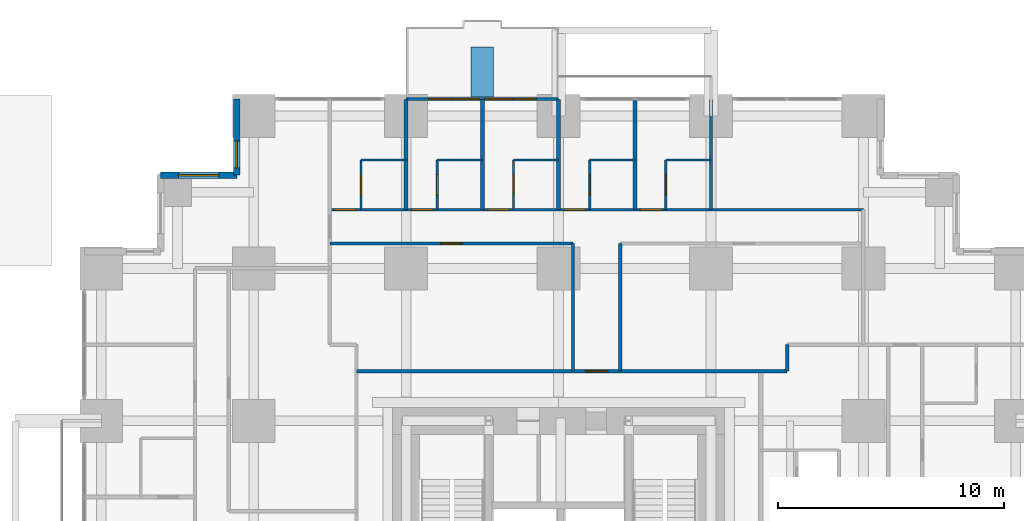
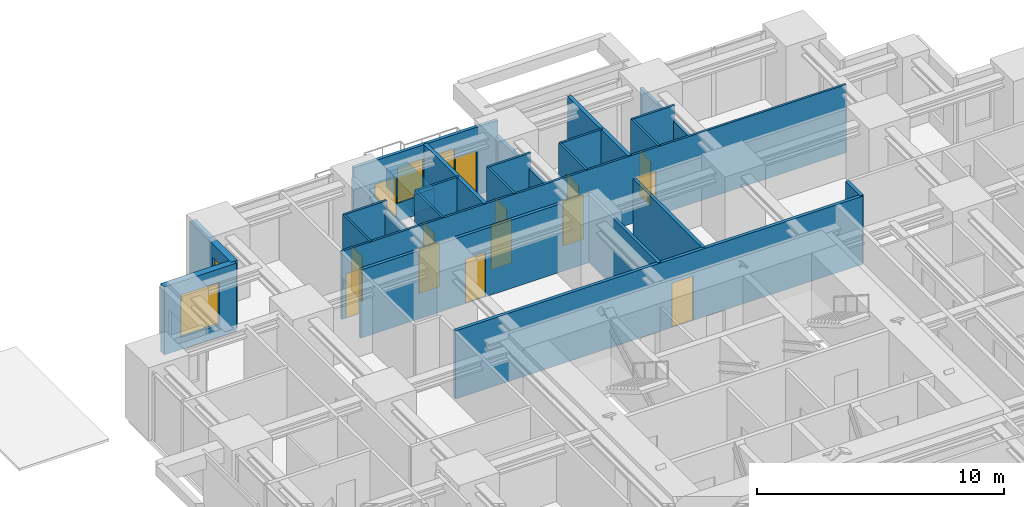
# One storey, part 12 of 14: 25 walls, 14 doors, 4 windows, 18 openings.
"""IFC4 building model written with IfcOpenShell, lengths in metres."""

from ifc_helpers import new_model, si_unit, direction, frame, frame_2d, origin, place, context, subcontext, project, spatial, rectangle, extrude, material, layer, layer_set, type_object, element, fill, save


model = new_model("IFC4")

# Units and contexts
model_context = context("Model", 3, precision=1e-05, world=origin(), true_north=direction((0.0, 1.0)))
body_context = subcontext(model_context, "Body", "Model", "MODEL_VIEW")
ifc_project = project(units=[si_unit("LENGTHUNIT", "METRE"), si_unit("AREAUNIT", "SQUARE_METRE"), si_unit("VOLUMEUNIT", "CUBIC_METRE"), si_unit("PLANEANGLEUNIT", "RADIAN"), si_unit("MASSUNIT", "GRAM", prefix="KILO")], contexts=[model_context])

# Site, building, storey
site_placement = place(None, origin())
site = spatial("IfcSite", under=ifc_project, at=site_placement, CompositionType="ELEMENT")
building_placement = place(site_placement, origin())
building = spatial("IfcBuilding", under=site, at=building_placement, Name="Nyansa Garden Tower", CompositionType="ELEMENT")
storey_placement = place(building_placement, frame((0.0, 0.0, 18.0)))
storey = spatial("IfcBuildingStorey", under=building, at=storey_placement, Name="L04", CompositionType="ELEMENT", Elevation=18.0)

# Walls
ifc_material_1 = material(Name="Dense blockwork, plastered both sides, 55 dB", Category="masonry")
ifc_layer_1 = layer(ifc_material_1, 0.175048828125)
ifc_layer_set_1 = layer_set([ifc_layer_1], Name="Acoustic party wall PW175")
wall_type_1 = type_object("IfcWallType", Name="Acoustic party wall PW175", PredefinedType="PARTITIONING", material=ifc_layer_set_1)
wall_1_placement = place(storey_placement, frame((13.5, 36.35009765625, 0.0), z_axis=(0.0, 0.0, 1.0), x_axis=(0.0, 1.0, 0.0)))
element("IfcWall", 1, at=wall_1_placement, inside=storey, type_object=wall_type_1, Name="Party wall", PredefinedType="PARTITIONING", context=body_context, shape_type="SweptSolid", body=[
    extrude(rectangle(XDim=4.8837890625, YDim=0.175048828125, at=frame_2d((2.44189453125, 0.0))), origin(), (0.0, 0.0, 1.0), 2.876953125),
])
wall_2_placement = place(storey_placement, frame((16.875, 36.35009765625, 0.0), z_axis=(0.0, 0.0, 1.0), x_axis=(0.0, 1.0, 0.0)))
element("IfcWall", 2, at=wall_2_placement, inside=storey, type_object=wall_type_1, Name="Party wall", PredefinedType="PARTITIONING", context=body_context, shape_type="SweptSolid", body=[
    extrude(rectangle(XDim=4.8837890625, YDim=0.175048828125, at=frame_2d((2.44189453125, 0.0))), origin(), (0.0, 0.0, 1.0), 3.375),
])
wall_3_placement = place(storey_placement, frame((20.25, 36.35009765625, 0.0), z_axis=(0.0, 0.0, 1.0), x_axis=(0.0, 1.0, 0.0)))
element("IfcWall", 3, at=wall_3_placement, inside=storey, type_object=wall_type_1, Name="Party wall", PredefinedType="PARTITIONING", context=body_context, shape_type="SweptSolid", body=[
    extrude(rectangle(XDim=4.8837890625, YDim=0.175048828125, at=frame_2d((2.44189453125, 0.0))), origin(), (0.0, 0.0, 1.0), 2.610107421875),
])
wall_4_placement = place(storey_placement, frame((23.625, 36.35009765625, 0.0), z_axis=(0.0, 0.0, 1.0), x_axis=(0.0, 1.0, 0.0)))
element("IfcWall", 4, at=wall_4_placement, inside=storey, type_object=wall_type_1, Name="Party wall", PredefinedType="PARTITIONING", context=body_context, shape_type="SweptSolid", body=[
    extrude(rectangle(XDim=4.8837890625, YDim=0.175048828125, at=frame_2d((2.44189453125, 0.0))), origin(), (0.0, 0.0, 1.0), 3.375),
])

# Wall, openings, doors, windows
ifc_material_2 = material(Name="Black aluminium framed glazed screen", Category="aluminium")
ifc_layer_2 = layer(ifc_material_2, 0.14990234375)
ifc_layer_set_2 = layer_set([ifc_layer_2], Name="Balcony screen wall BW150")
wall_type_2 = type_object("IfcWallType", Name="Balcony screen wall BW150", PredefinedType="SOLIDWALL", material=ifc_layer_set_2)
wall_5_placement = place(storey_placement, frame((13.5, 41.25, 0.0), z_axis=(0.0, 0.0, 1.0), x_axis=(1.0, 0.0, 0.0)))
wall_5 = element("IfcWall", 5, at=wall_5_placement, inside=storey, type_object=wall_type_2, Name="Glazed screen wall L04 N", PredefinedType="SOLIDWALL", context=body_context, shape_type="SweptSolid", body=[
    extrude(rectangle(XDim=6.75, YDim=0.14990234375, at=frame_2d((3.375, 0.0))), origin(), (0.0, 0.0, 1.0), 3.375),
])
opening_1_placement = place(wall_5_placement, frame((0.995849609375, 0.0, 0.0)))
opening_1 = element("IfcOpeningElement", 6, at=opening_1_placement, cuts=wall_5, Name="Opening D20", PredefinedType="OPENING", context=body_context, shape_type="SweptSolid", body=[
    extrude(rectangle(XDim=1.0, YDim=2.199951171875, at=frame_2d((0.5, 1.10009765625))), frame((0.0, 0.0849609375, 0.0), z_axis=(0.0, -1.0, 0.0), x_axis=(1.0, 0.0, 0.0)), (0.0, 0.0, 1.0), 0.169921875),
])
opening_2_placement = place(wall_5_placement, frame((2.041748046875, 0.0, 0.89990234375)))
opening_2 = element("IfcOpeningElement", 7, at=opening_2_placement, cuts=wall_5, Name="Opening W6", PredefinedType="OPENING", context=body_context, shape_type="SweptSolid", body=[
    extrude(rectangle(XDim=1.199951171875, YDim=1.800048828125, at=frame_2d((0.60009765625, 0.89990234375))), frame((0.0, 0.0849609375, 0.0), z_axis=(0.0, -1.0, 0.0), x_axis=(1.0, 0.0, 0.0)), (0.0, 0.0, 1.0), 0.169921875),
])
opening_3_placement = place(wall_5_placement, frame((4.754150390625, 0.0, 0.0)))
opening_3 = element("IfcOpeningElement", 8, at=opening_3_placement, cuts=wall_5, Name="Opening D20", PredefinedType="OPENING", context=body_context, shape_type="SweptSolid", body=[
    extrude(rectangle(XDim=1.0, YDim=2.199951171875, at=frame_2d((0.5, 1.10009765625))), frame((0.0, 0.0849609375, 0.0), z_axis=(0.0, -1.0, 0.0), x_axis=(1.0, 0.0, 0.0)), (0.0, 0.0, 1.0), 0.169921875),
])
opening_4_placement = place(wall_5_placement, frame((3.50830078125, 0.0, 0.89990234375)))
opening_4 = element("IfcOpeningElement", 9, at=opening_4_placement, cuts=wall_5, Name="Opening W6", PredefinedType="OPENING", context=body_context, shape_type="SweptSolid", body=[
    extrude(rectangle(XDim=1.199951171875, YDim=1.800048828125, at=frame_2d((0.60009765625, 0.89990234375))), frame((0.0, 0.0849609375, 0.0), z_axis=(0.0, -1.0, 0.0), x_axis=(1.0, 0.0, 0.0)), (0.0, 0.0, 1.0), 0.169921875),
])
ifc_material_3 = material(Name="Black aluminium framed glazed door", Category="aluminium")
door_type_1 = type_object("IfcDoorType", Name="Balcony door D20 1000x2200", OperationType="NOTDEFINED", PredefinedType="DOOR", material=ifc_material_3)
door_1_placement = place(opening_1_placement, origin())
door_1 = element("IfcDoor", 10, at=door_1_placement, inside=storey, type_object=door_type_1, Name="Balcony door L04", OperationType="SINGLE_SWING_LEFT", OverallHeight=2.199951171875, OverallWidth=1.0, PredefinedType="DOOR", context=body_context, shape_type="SweptSolid", body=[
    extrude(rectangle(XDim=1.0, YDim=2.199951171875, at=frame_2d((0.5, 1.10009765625))), frame((0.0, 0.02490234375, 0.0), z_axis=(0.0, -1.0, 0.0), x_axis=(1.0, 0.0, 0.0)), (0.0, 0.0, 1.0), 0.050048828125),
])
fill(opening_1, door_1)
door_2_placement = place(opening_3_placement, origin())
door_2 = element("IfcDoor", 11, at=door_2_placement, inside=storey, type_object=door_type_1, Name="Balcony door L04", OperationType="SINGLE_SWING_RIGHT", OverallHeight=2.199951171875, OverallWidth=1.0, PredefinedType="DOOR", context=body_context, shape_type="SweptSolid", body=[
    extrude(rectangle(XDim=1.0, YDim=2.199951171875, at=frame_2d((0.5, 1.10009765625))), frame((0.0, 0.02490234375, 0.0), z_axis=(0.0, -1.0, 0.0), x_axis=(1.0, 0.0, 0.0)), (0.0, 0.0, 1.0), 0.050048828125),
])
fill(opening_3, door_2)
ifc_material_4 = material(Name="Black aluminium frame, dark tinted double glazing", Category="aluminium")
window_type_1 = type_object("IfcWindowType", Name="Balcony window W6 1200x1800", PartitioningType="SINGLE_PANEL", PredefinedType="WINDOW", material=ifc_material_4)
window_1_placement = place(opening_2_placement, origin())
window_1 = element("IfcWindow", 12, at=window_1_placement, inside=storey, type_object=window_type_1, Name="Window L04", OverallHeight=1.800048828125, OverallWidth=1.199951171875, PartitioningType="SINGLE_PANEL", PredefinedType="WINDOW", context=body_context, shape_type="SweptSolid", body=[
    extrude(rectangle(XDim=1.199951171875, YDim=1.800048828125, at=frame_2d((0.60009765625, 0.89990234375))), frame((0.0, 0.030029296875, 0.0), z_axis=(0.0, -1.0, 0.0), x_axis=(1.0, 0.0, 0.0)), (0.0, 0.0, 1.0), 0.06005859375),
])
fill(opening_2, window_1)
window_2_placement = place(opening_4_placement, origin())
window_2 = element("IfcWindow", 13, at=window_2_placement, inside=storey, type_object=window_type_1, Name="Window L04", OverallHeight=1.800048828125, OverallWidth=1.199951171875, PartitioningType="SINGLE_PANEL", PredefinedType="WINDOW", context=body_context, shape_type="SweptSolid", body=[
    extrude(rectangle(XDim=1.199951171875, YDim=1.800048828125, at=frame_2d((0.60009765625, 0.89990234375))), frame((0.0, 0.030029296875, 0.0), z_axis=(0.0, -1.0, 0.0), x_axis=(1.0, 0.0, 0.0)), (0.0, 0.0, 1.0), 0.06005859375),
])
fill(opening_4, window_2)

# Wall, opening, door
ifc_material_5 = material(Name="Blockwork, plastered both sides", Category="masonry")
ifc_layer_3 = layer(ifc_material_5, 0.14990234375)
ifc_layer_set_3 = layer_set([ifc_layer_3], Name="Partition PW150")
wall_type_3 = type_object("IfcWallType", Name="Partition PW150", PredefinedType="PARTITIONING", material=ifc_layer_set_3)
wall_6_placement = place(storey_placement, frame((10.125, 34.85009765625, 0.0), z_axis=(0.0, 0.0, 1.0), x_axis=(1.0, 0.0, 0.0)))
wall_6 = element("IfcWall", 14, at=wall_6_placement, inside=storey, type_object=wall_type_3, Name="Partition", PredefinedType="PARTITIONING", context=body_context, shape_type="SweptSolid", body=[
    extrude(rectangle(XDim=10.762451171875, YDim=0.14990234375, at=frame_2d((5.38134765625, 0.0))), origin(), (0.0, 0.0, 1.0), 3.375),
])
opening_5_placement = place(wall_6_placement, frame((4.89990234375, 0.0, 0.0)))
opening_5 = element("IfcOpeningElement", 15, at=opening_5_placement, cuts=wall_6, Name="Opening D01", PredefinedType="OPENING", context=body_context, shape_type="SweptSolid", body=[
    extrude(rectangle(XDim=0.949951171875, YDim=2.199951171875, at=frame_2d((0.47509765625, 1.10009765625))), frame((0.0, 0.0849609375, 0.0), z_axis=(0.0, -1.0, 0.0), x_axis=(1.0, 0.0, 0.0)), (0.0, 0.0, 1.0), 0.169921875),
])
ifc_material_6 = material(Name="Timber flush door, 30 minute fire resisting", Category="wood")
door_type_2 = type_object("IfcDoorType", Name="Bedroom door D01 950x2200", OperationType="SINGLE_SWING_LEFT", PredefinedType="DOOR", material=ifc_material_6)
door_3_placement = place(opening_5_placement, origin())
door_3 = element("IfcDoor", 16, at=door_3_placement, inside=storey, type_object=door_type_2, Name="Door L04-056", OperationType="SINGLE_SWING_LEFT", OverallHeight=2.199951171875, OverallWidth=0.949951171875, PredefinedType="DOOR", context=body_context, shape_type="SweptSolid", body=[
    extrude(rectangle(XDim=0.949951171875, YDim=2.199951171875, at=frame_2d((0.47509765625, 1.10009765625))), frame((0.0, 0.02490234375, 0.0), z_axis=(0.0, -1.0, 0.0), x_axis=(1.0, 0.0, 0.0)), (0.0, 0.0, 1.0), 0.050048828125),
])
fill(opening_5, door_3)

wall_7_placement = place(storey_placement, frame((11.300048828125, 29.199951171875, 0.0), z_axis=(0.0, 0.0, 1.0), x_axis=(1.0, 0.0, 0.0)))
wall_7 = element("IfcWall", 17, at=wall_7_placement, inside=storey, type_object=wall_type_3, Name="Partition", PredefinedType="PARTITIONING", context=body_context, shape_type="SweptSolid", body=[
    extrude(rectangle(XDim=19.074951171875, YDim=0.14990234375, at=frame_2d((9.53759765625, 0.0))), origin(), (0.0, 0.0, 1.0), 3.375),
])
opening_6_placement = place(wall_7_placement, frame((10.137451171875, 0.0, 0.0)))
opening_6 = element("IfcOpeningElement", 18, at=opening_6_placement, cuts=wall_7, Name="Opening D03", PredefinedType="OPENING", context=body_context, shape_type="SweptSolid", body=[
    extrude(rectangle(XDim=1.0, YDim=2.199951171875, at=frame_2d((0.5, 1.10009765625))), frame((0.0, 0.0849609375, 0.0), z_axis=(0.0, -1.0, 0.0), x_axis=(1.0, 0.0, 0.0)), (0.0, 0.0, 1.0), 0.169921875),
])
ifc_material_7 = material(Name="Timber flush door, 60 minute fire resisting", Category="wood")
door_type_3 = type_object("IfcDoorType", Name="Cluster entrance door D03 1000x2200", OperationType="SINGLE_SWING_LEFT", PredefinedType="DOOR", material=ifc_material_7)
door_4_placement = place(opening_6_placement, origin())
door_4 = element("IfcDoor", 19, at=door_4_placement, inside=storey, type_object=door_type_3, Name="Door L04-055", OperationType="SINGLE_SWING_LEFT", OverallHeight=2.199951171875, OverallWidth=1.0, PredefinedType="DOOR", context=body_context, shape_type="SweptSolid", body=[
    extrude(rectangle(XDim=1.0, YDim=2.199951171875, at=frame_2d((0.5, 1.10009765625))), frame((0.0, 0.02490234375, 0.0), z_axis=(0.0, -1.0, 0.0), x_axis=(1.0, 0.0, 0.0)), (0.0, 0.0, 1.0), 0.050048828125),
])
fill(opening_6, door_4)

# Walls
for number, where, z_axis, x_axis, name in (
    (20, (20.886962890625, 29.199951171875, 0.0), (0.0, 0.0, 1.0), (0.0, 1.0, 0.0), "Partition"),
    (21, (22.988037109375, 29.199951171875, 0.0), (0.0, 0.0, 1.0), (0.0, 1.0, 0.0), "Partition"),
):
    element("IfcWall", number, at=place(storey_placement, frame(where, z_axis=z_axis, x_axis=x_axis)), inside=storey, type_object=wall_type_3, Name=name, PredefinedType="PARTITIONING", context=body_context, shape_type="SweptSolid", body=[
        extrude(rectangle(XDim=5.650146484375, YDim=0.14990234375, at=frame_2d((2.8251953125, 0.0))), origin(), (0.0, 0.0, 1.0), 3.375),
    ])
wall_8_placement = place(storey_placement, frame((27.0, 36.35009765625, 0.0), z_axis=(0.0, 0.0, 1.0), x_axis=(0.0, 1.0, 0.0)))
element("IfcWall", 22, at=wall_8_placement, inside=storey, type_object=wall_type_3, Name="Partition", PredefinedType="PARTITIONING", context=body_context, shape_type="SweptSolid", body=[
    extrude(rectangle(XDim=4.8837890625, YDim=0.14990234375, at=frame_2d((2.44189453125, 0.0))), origin(), (0.0, 0.0, 1.0), 2.610107421875),
])
wall_9_placement = place(storey_placement, frame((30.375, 29.199951171875, 0.0), z_axis=(0.0, 0.0, 1.0), x_axis=(0.0, 1.0, 0.0)))
element("IfcWall", 23, at=wall_9_placement, inside=storey, type_object=wall_type_3, Name="Partition", PredefinedType="PARTITIONING", context=body_context, shape_type="SweptSolid", body=[
    extrude(rectangle(XDim=1.175048828125, YDim=0.14990234375, at=frame_2d((0.58740234375, 0.0))), origin(), (0.0, 0.0, 1.0), 3.375),
])

# Wall, opening, window
ifc_material_8 = material(Name="Turquoise glazed tile on concrete blockwork", Category="masonry")
ifc_layer_4 = layer(ifc_material_8, 0.300048828125)
ifc_layer_set_4 = layer_set([ifc_layer_4], Name="Tiled corner wall TW300")
wall_type_4 = type_object("IfcWallType", Name="Tiled corner wall TW300", PredefinedType="SOLIDWALL", material=ifc_layer_set_4)
wall_10_placement = place(storey_placement, frame((6.0, 41.25, 0.0), z_axis=(0.0, 0.0, 1.0), x_axis=(0.0, -1.0, 0.0)))
wall_10 = element("IfcWall", 24, at=wall_10_placement, inside=storey, type_object=wall_type_4, Name="Tiled corner wall L04", PredefinedType="SOLIDWALL", context=body_context, shape_type="SweptSolid", body=[
    extrude(rectangle(XDim=3.375, YDim=0.300048828125, at=frame_2d((1.6875, 0.0))), origin(), (0.0, 0.0, 1.0), 3.375),
])
opening_7_placement = place(wall_10_placement, frame((1.857421875, 0.0, 0.89990234375)))
opening_7 = element("IfcOpeningElement", 25, at=opening_7_placement, cuts=wall_10, Name="Opening W4", PredefinedType="OPENING", context=body_context, shape_type="SweptSolid", body=[
    extrude(rectangle(XDim=1.199951171875, YDim=1.800048828125, at=frame_2d((0.60009765625, 0.89990234375))), frame((0.0, 0.159912109375, 0.0), z_axis=(0.0, -1.0, 0.0), x_axis=(1.0, 0.0, 0.0)), (0.0, 0.0, 1.0), 0.320068359375),
])
ifc_material_9 = material(Name="Black aluminium frame, dark tinted double glazing", Category="aluminium")
window_type_2 = type_object("IfcWindowType", Name="Window W4 1200x1800", PartitioningType="SINGLE_PANEL", PredefinedType="WINDOW", material=ifc_material_9)
window_3_placement = place(opening_7_placement, origin())
window_3 = element("IfcWindow", 26, at=window_3_placement, inside=storey, type_object=window_type_2, Name="Corner window L04", OverallHeight=1.800048828125, OverallWidth=1.199951171875, PartitioningType="SINGLE_PANEL", PredefinedType="WINDOW", context=body_context, shape_type="SweptSolid", body=[
    extrude(rectangle(XDim=1.199951171875, YDim=1.800048828125, at=frame_2d((0.60009765625, 0.89990234375))), frame((0.0, 0.030029296875, 0.0), z_axis=(0.0, -1.0, 0.0), x_axis=(1.0, 0.0, 0.0)), (0.0, 0.0, 1.0), 0.06005859375),
])
fill(opening_7, window_3)

wall_11_placement = place(storey_placement, frame((6.0, 37.875, 0.0), z_axis=(0.0, 0.0, 1.0), x_axis=(-1.0, 0.0, 0.0)))
wall_11 = element("IfcWall", 27, at=wall_11_placement, inside=storey, type_object=wall_type_4, Name="Tiled corner wall L04", PredefinedType="SOLIDWALL", context=body_context, shape_type="SweptSolid", body=[
    extrude(rectangle(XDim=3.375, YDim=0.300048828125, at=frame_2d((1.6875, 0.0))), origin(), (0.0, 0.0, 1.0), 3.375),
])
opening_8_placement = place(wall_11_placement, frame((0.78759765625, 0.0, 0.60009765625)))
opening_8 = element("IfcOpeningElement", 28, at=opening_8_placement, cuts=wall_11, Name="Opening W2", PredefinedType="OPENING", context=body_context, shape_type="SweptSolid", body=[
    extrude(rectangle(XDim=1.800048828125, YDim=2.10009765625, at=frame_2d((0.89990234375, 1.050048828125))), frame((0.0, 0.159912109375, 0.0), z_axis=(0.0, -1.0, 0.0), x_axis=(1.0, 0.0, 0.0)), (0.0, 0.0, 1.0), 0.320068359375),
])
ifc_material_10 = material(Name="Black aluminium frame, dark tinted double glazing", Category="aluminium")
window_type_3 = type_object("IfcWindowType", Name="Window W2 1800x2100", PartitioningType="SINGLE_PANEL", PredefinedType="WINDOW", material=ifc_material_10)
window_4_placement = place(opening_8_placement, origin())
window_4 = element("IfcWindow", 29, at=window_4_placement, inside=storey, type_object=window_type_3, Name="Corner window L04", OverallHeight=2.10009765625, OverallWidth=1.800048828125, PartitioningType="SINGLE_PANEL", PredefinedType="WINDOW", context=body_context, shape_type="SweptSolid", body=[
    extrude(rectangle(XDim=1.800048828125, YDim=2.10009765625, at=frame_2d((0.89990234375, 1.050048828125))), frame((0.0, 0.030029296875, 0.0), z_axis=(0.0, -1.0, 0.0), x_axis=(1.0, 0.0, 0.0)), (0.0, 0.0, 1.0), 0.06005859375),
])
fill(opening_8, window_4)

# Wall
ifc_material_11 = material(Name="Concrete C40/50 planter, waterproofed", Category="concrete")
ifc_layer_5 = layer(ifc_material_11, 1.0)
ifc_layer_set_5 = layer_set([ifc_layer_5], Name="Tree planter TP1")
wall_type_5 = type_object("IfcWallType", Name="Tree planter TP1", PredefinedType="USERDEFINED", material=ifc_layer_set_5)
wall_12_placement = place(storey_placement, frame((16.875, 41.35009765625, 0.0), z_axis=(0.0, 0.0, 1.0), x_axis=(0.0, 1.0, 0.0)))
element("IfcWall", 30, at=wall_12_placement, inside=storey, type_object=wall_type_5, Name="Tree planter L04", ObjectType="TREE PLANTER", PredefinedType="USERDEFINED", context=body_context, shape_type="SweptSolid", body=[
    extrude(rectangle(XDim=2.199951171875, YDim=1.0, at=frame_2d((1.10009765625, 0.0))), origin(), (0.0, 0.0, 1.0), 0.89990234375),
])

# Wall, openings, doors
ifc_material_12 = material(Name="Moisture resistant board on steel studs, tiled", Category="steel")
ifc_layer_6 = layer(ifc_material_12, 0.10009765625)
ifc_layer_set_6 = layer_set([ifc_layer_6], Name="Wet wall PW100")
wall_type_6 = type_object("IfcWallType", Name="Wet wall PW100", PredefinedType="PARTITIONING", material=ifc_layer_set_6)
wall_13_placement = place(storey_placement, frame((10.125, 36.35009765625, 0.0), z_axis=(0.0, 0.0, 1.0), x_axis=(1.0, 0.0, 0.0)))
wall_13 = element("IfcWall", 31, at=wall_13_placement, inside=storey, type_object=wall_type_6, Name="Wet wall", PredefinedType="PARTITIONING", context=body_context, shape_type="SweptSolid", body=[
    extrude(rectangle(XDim=23.625, YDim=0.10009765625, at=frame_2d((11.8125, 0.0))), origin(), (0.0, 0.0, 1.0), 3.375),
])
opening_9_placement = place(wall_13_placement, frame((0.199951171875, 0.0, 0.0)))
opening_9 = element("IfcOpeningElement", 32, at=opening_9_placement, cuts=wall_13, Name="Opening D14", PredefinedType="OPENING", context=body_context, shape_type="SweptSolid", body=[
    extrude(rectangle(XDim=0.949951171875, YDim=2.199951171875, at=frame_2d((0.47509765625, 1.10009765625))), frame((0.0, 0.06005859375, 0.0), z_axis=(0.0, -1.0, 0.0), x_axis=(1.0, 0.0, 0.0)), (0.0, 0.0, 1.0), 0.1201171875),
])
opening_10_placement = place(wall_13_placement, frame((3.625, 0.0, 0.0)))
opening_10 = element("IfcOpeningElement", 33, at=opening_10_placement, cuts=wall_13, Name="Opening D14", PredefinedType="OPENING", context=body_context, shape_type="SweptSolid", body=[
    extrude(rectangle(XDim=0.949951171875, YDim=2.199951171875, at=frame_2d((0.47509765625, 1.10009765625))), frame((0.0, 0.06005859375, 0.0), z_axis=(0.0, -1.0, 0.0), x_axis=(1.0, 0.0, 0.0)), (0.0, 0.0, 1.0), 0.1201171875),
])
opening_11_placement = place(wall_13_placement, frame((7.0, 0.0, 0.0)))
opening_11 = element("IfcOpeningElement", 34, at=opening_11_placement, cuts=wall_13, Name="Opening D14", PredefinedType="OPENING", context=body_context, shape_type="SweptSolid", body=[
    extrude(rectangle(XDim=0.949951171875, YDim=2.199951171875, at=frame_2d((0.47509765625, 1.10009765625))), frame((0.0, 0.06005859375, 0.0), z_axis=(0.0, -1.0, 0.0), x_axis=(1.0, 0.0, 0.0)), (0.0, 0.0, 1.0), 0.1201171875),
])
opening_12_placement = place(wall_13_placement, frame((10.375, 0.0, 0.0)))
opening_12 = element("IfcOpeningElement", 35, at=opening_12_placement, cuts=wall_13, Name="Opening D14", PredefinedType="OPENING", context=body_context, shape_type="SweptSolid", body=[
    extrude(rectangle(XDim=0.949951171875, YDim=2.199951171875, at=frame_2d((0.47509765625, 1.10009765625))), frame((0.0, 0.06005859375, 0.0), z_axis=(0.0, -1.0, 0.0), x_axis=(1.0, 0.0, 0.0)), (0.0, 0.0, 1.0), 0.1201171875),
])
opening_13_placement = place(wall_13_placement, frame((13.75, 0.0, 0.0)))
opening_13 = element("IfcOpeningElement", 36, at=opening_13_placement, cuts=wall_13, Name="Opening D14", PredefinedType="OPENING", context=body_context, shape_type="SweptSolid", body=[
    extrude(rectangle(XDim=0.949951171875, YDim=2.199951171875, at=frame_2d((0.47509765625, 1.10009765625))), frame((0.0, 0.06005859375, 0.0), z_axis=(0.0, -1.0, 0.0), x_axis=(1.0, 0.0, 0.0)), (0.0, 0.0, 1.0), 0.1201171875),
])
ifc_material_13 = material(Name="Timber flush door, 60 minute fire resisting, self-closing", Category="wood")
door_type_4 = type_object("IfcDoorType", Name="Studio entrance door D14 950x2200", OperationType="SINGLE_SWING_LEFT", PredefinedType="DOOR", material=ifc_material_13)
door_5_placement = place(opening_9_placement, origin())
door_5 = element("IfcDoor", 37, at=door_5_placement, inside=storey, type_object=door_type_4, Name="Door L04-045", OperationType="SINGLE_SWING_LEFT", OverallHeight=2.199951171875, OverallWidth=0.949951171875, PredefinedType="DOOR", context=body_context, shape_type="SweptSolid", body=[
    extrude(rectangle(XDim=0.949951171875, YDim=2.199951171875, at=frame_2d((0.47509765625, 1.10009765625))), frame((0.0, 0.02490234375, 0.0), z_axis=(0.0, -1.0, 0.0), x_axis=(1.0, 0.0, 0.0)), (0.0, 0.0, 1.0), 0.050048828125),
])
fill(opening_9, door_5)
door_6_placement = place(opening_10_placement, origin())
door_6 = element("IfcDoor", 38, at=door_6_placement, inside=storey, type_object=door_type_4, Name="Door L04-047", OperationType="SINGLE_SWING_LEFT", OverallHeight=2.199951171875, OverallWidth=0.949951171875, PredefinedType="DOOR", context=body_context, shape_type="SweptSolid", body=[
    extrude(rectangle(XDim=0.949951171875, YDim=2.199951171875, at=frame_2d((0.47509765625, 1.10009765625))), frame((0.0, 0.02490234375, 0.0), z_axis=(0.0, -1.0, 0.0), x_axis=(1.0, 0.0, 0.0)), (0.0, 0.0, 1.0), 0.050048828125),
])
fill(opening_10, door_6)
door_7_placement = place(opening_11_placement, origin())
door_7 = element("IfcDoor", 39, at=door_7_placement, inside=storey, type_object=door_type_4, Name="Door L04-049", OperationType="SINGLE_SWING_LEFT", OverallHeight=2.199951171875, OverallWidth=0.949951171875, PredefinedType="DOOR", context=body_context, shape_type="SweptSolid", body=[
    extrude(rectangle(XDim=0.949951171875, YDim=2.199951171875, at=frame_2d((0.47509765625, 1.10009765625))), frame((0.0, 0.02490234375, 0.0), z_axis=(0.0, -1.0, 0.0), x_axis=(1.0, 0.0, 0.0)), (0.0, 0.0, 1.0), 0.050048828125),
])
fill(opening_11, door_7)
door_8_placement = place(opening_12_placement, origin())
door_8 = element("IfcDoor", 40, at=door_8_placement, inside=storey, type_object=door_type_4, Name="Door L04-051", OperationType="SINGLE_SWING_LEFT", OverallHeight=2.199951171875, OverallWidth=0.949951171875, PredefinedType="DOOR", context=body_context, shape_type="SweptSolid", body=[
    extrude(rectangle(XDim=0.949951171875, YDim=2.199951171875, at=frame_2d((0.47509765625, 1.10009765625))), frame((0.0, 0.02490234375, 0.0), z_axis=(0.0, -1.0, 0.0), x_axis=(1.0, 0.0, 0.0)), (0.0, 0.0, 1.0), 0.050048828125),
])
fill(opening_12, door_8)
door_9_placement = place(opening_13_placement, origin())
door_9 = element("IfcDoor", 41, at=door_9_placement, inside=storey, type_object=door_type_4, Name="Door L04-053", OperationType="SINGLE_SWING_LEFT", OverallHeight=2.199951171875, OverallWidth=0.949951171875, PredefinedType="DOOR", context=body_context, shape_type="SweptSolid", body=[
    extrude(rectangle(XDim=0.949951171875, YDim=2.199951171875, at=frame_2d((0.47509765625, 1.10009765625))), frame((0.0, 0.02490234375, 0.0), z_axis=(0.0, -1.0, 0.0), x_axis=(1.0, 0.0, 0.0)), (0.0, 0.0, 1.0), 0.050048828125),
])
fill(opening_13, door_9)

# Wall, opening, door
wall_14_placement = place(storey_placement, frame((11.5, 36.35009765625, 0.0), z_axis=(0.0, 0.0, 1.0), x_axis=(0.0, 1.0, 0.0)))
wall_14 = element("IfcWall", 42, at=wall_14_placement, inside=storey, type_object=wall_type_6, Name="Wet wall", PredefinedType="PARTITIONING", context=body_context, shape_type="SweptSolid", body=[
    extrude(rectangle(XDim=2.199951171875, YDim=0.10009765625, at=frame_2d((1.10009765625, 0.0))), origin(), (0.0, 0.0, 1.0), 3.375),
])
opening_14_placement = place(wall_14_placement, frame((0.64990234375, 0.0, 0.0)))
opening_14 = element("IfcOpeningElement", 43, at=opening_14_placement, cuts=wall_14, Name="Opening D02", PredefinedType="OPENING", context=body_context, shape_type="SweptSolid", body=[
    extrude(rectangle(XDim=0.89990234375, YDim=2.199951171875, at=frame_2d((0.449951171875, 1.10009765625))), frame((0.0, 0.06005859375, 0.0), z_axis=(0.0, -1.0, 0.0), x_axis=(1.0, 0.0, 0.0)), (0.0, 0.0, 1.0), 0.1201171875),
])
ifc_material_14 = material(Name="Timber flush door", Category="wood")
door_type_5 = type_object("IfcDoorType", Name="En-suite door D02 900x2200", OperationType="SINGLE_SWING_RIGHT", PredefinedType="DOOR", material=ifc_material_14)
door_10_placement = place(opening_14_placement, origin())
door_10 = element("IfcDoor", 44, at=door_10_placement, inside=storey, type_object=door_type_5, Name="Door L04-046", OperationType="SINGLE_SWING_RIGHT", OverallHeight=2.199951171875, OverallWidth=0.89990234375, PredefinedType="DOOR", context=body_context, shape_type="SweptSolid", body=[
    extrude(rectangle(XDim=0.89990234375, YDim=2.199951171875, at=frame_2d((0.449951171875, 1.10009765625))), frame((0.0, 0.02490234375, 0.0), z_axis=(0.0, -1.0, 0.0), x_axis=(1.0, 0.0, 0.0)), (0.0, 0.0, 1.0), 0.050048828125),
])
fill(opening_14, door_10)

# Wall
wall_15_placement = place(storey_placement, frame((11.5, 38.550048828125, 0.0), z_axis=(0.0, 0.0, 1.0), x_axis=(1.0, 0.0, 0.0)))
element("IfcWall", 45, at=wall_15_placement, inside=storey, type_object=wall_type_6, Name="Wet wall", PredefinedType="PARTITIONING", context=body_context, shape_type="SweptSolid", body=[
    extrude(rectangle(XDim=2.0, YDim=0.10009765625, at=frame_2d((1.0, 0.0))), origin(), (0.0, 0.0, 1.0), 3.375),
])

# Wall, opening, door
wall_16_placement = place(storey_placement, frame((14.875, 36.35009765625, 0.0), z_axis=(0.0, 0.0, 1.0), x_axis=(0.0, 1.0, 0.0)))
wall_16 = element("IfcWall", 46, at=wall_16_placement, inside=storey, type_object=wall_type_6, Name="Wet wall", PredefinedType="PARTITIONING", context=body_context, shape_type="SweptSolid", body=[
    extrude(rectangle(XDim=2.199951171875, YDim=0.10009765625, at=frame_2d((1.10009765625, 0.0))), origin(), (0.0, 0.0, 1.0), 3.375),
])
opening_15_placement = place(wall_16_placement, frame((0.64990234375, 0.0, 0.0)))
opening_15 = element("IfcOpeningElement", 47, at=opening_15_placement, cuts=wall_16, Name="Opening D02", PredefinedType="OPENING", context=body_context, shape_type="SweptSolid", body=[
    extrude(rectangle(XDim=0.89990234375, YDim=2.199951171875, at=frame_2d((0.449951171875, 1.10009765625))), frame((0.0, 0.06005859375, 0.0), z_axis=(0.0, -1.0, 0.0), x_axis=(1.0, 0.0, 0.0)), (0.0, 0.0, 1.0), 0.1201171875),
])
door_11_placement = place(opening_15_placement, origin())
door_11 = element("IfcDoor", 48, at=door_11_placement, inside=storey, type_object=door_type_5, Name="Door L04-048", OperationType="SINGLE_SWING_RIGHT", OverallHeight=2.199951171875, OverallWidth=0.89990234375, PredefinedType="DOOR", context=body_context, shape_type="SweptSolid", body=[
    extrude(rectangle(XDim=0.89990234375, YDim=2.199951171875, at=frame_2d((0.449951171875, 1.10009765625))), frame((0.0, 0.02490234375, 0.0), z_axis=(0.0, -1.0, 0.0), x_axis=(1.0, 0.0, 0.0)), (0.0, 0.0, 1.0), 0.050048828125),
])
fill(opening_15, door_11)

# Wall
wall_17_placement = place(storey_placement, frame((14.875, 38.550048828125, 0.0), z_axis=(0.0, 0.0, 1.0), x_axis=(1.0, 0.0, 0.0)))
element("IfcWall", 49, at=wall_17_placement, inside=storey, type_object=wall_type_6, Name="Wet wall", PredefinedType="PARTITIONING", context=body_context, shape_type="SweptSolid", body=[
    extrude(rectangle(XDim=2.0, YDim=0.10009765625, at=frame_2d((1.0, 0.0))), origin(), (0.0, 0.0, 1.0), 3.375),
])

# Wall, opening, door
wall_18_placement = place(storey_placement, frame((18.25, 36.35009765625, 0.0), z_axis=(0.0, 0.0, 1.0), x_axis=(0.0, 1.0, 0.0)))
wall_18 = element("IfcWall", 50, at=wall_18_placement, inside=storey, type_object=wall_type_6, Name="Wet wall", PredefinedType="PARTITIONING", context=body_context, shape_type="SweptSolid", body=[
    extrude(rectangle(XDim=2.199951171875, YDim=0.10009765625, at=frame_2d((1.10009765625, 0.0))), origin(), (0.0, 0.0, 1.0), 3.375),
])
opening_16_placement = place(wall_18_placement, frame((0.64990234375, 0.0, 0.0)))
opening_16 = element("IfcOpeningElement", 51, at=opening_16_placement, cuts=wall_18, Name="Opening D02", PredefinedType="OPENING", context=body_context, shape_type="SweptSolid", body=[
    extrude(rectangle(XDim=0.89990234375, YDim=2.199951171875, at=frame_2d((0.449951171875, 1.10009765625))), frame((0.0, 0.06005859375, 0.0), z_axis=(0.0, -1.0, 0.0), x_axis=(1.0, 0.0, 0.0)), (0.0, 0.0, 1.0), 0.1201171875),
])
door_12_placement = place(opening_16_placement, origin())
door_12 = element("IfcDoor", 52, at=door_12_placement, inside=storey, type_object=door_type_5, Name="Door L04-050", OperationType="SINGLE_SWING_RIGHT", OverallHeight=2.199951171875, OverallWidth=0.89990234375, PredefinedType="DOOR", context=body_context, shape_type="SweptSolid", body=[
    extrude(rectangle(XDim=0.89990234375, YDim=2.199951171875, at=frame_2d((0.449951171875, 1.10009765625))), frame((0.0, 0.02490234375, 0.0), z_axis=(0.0, -1.0, 0.0), x_axis=(1.0, 0.0, 0.0)), (0.0, 0.0, 1.0), 0.050048828125),
])
fill(opening_16, door_12)

# Wall
wall_19_placement = place(storey_placement, frame((18.25, 38.550048828125, 0.0), z_axis=(0.0, 0.0, 1.0), x_axis=(1.0, 0.0, 0.0)))
element("IfcWall", 53, at=wall_19_placement, inside=storey, type_object=wall_type_6, Name="Wet wall", PredefinedType="PARTITIONING", context=body_context, shape_type="SweptSolid", body=[
    extrude(rectangle(XDim=2.0, YDim=0.10009765625, at=frame_2d((1.0, 0.0))), origin(), (0.0, 0.0, 1.0), 3.375),
])

# Wall, opening, door
wall_20_placement = place(storey_placement, frame((21.625, 36.35009765625, 0.0), z_axis=(0.0, 0.0, 1.0), x_axis=(0.0, 1.0, 0.0)))
wall_20 = element("IfcWall", 54, at=wall_20_placement, inside=storey, type_object=wall_type_6, Name="Wet wall", PredefinedType="PARTITIONING", context=body_context, shape_type="SweptSolid", body=[
    extrude(rectangle(XDim=2.199951171875, YDim=0.10009765625, at=frame_2d((1.10009765625, 0.0))), origin(), (0.0, 0.0, 1.0), 3.375),
])
opening_17_placement = place(wall_20_placement, frame((0.64990234375, 0.0, 0.0)))
opening_17 = element("IfcOpeningElement", 55, at=opening_17_placement, cuts=wall_20, Name="Opening D02", PredefinedType="OPENING", context=body_context, shape_type="SweptSolid", body=[
    extrude(rectangle(XDim=0.89990234375, YDim=2.199951171875, at=frame_2d((0.449951171875, 1.10009765625))), frame((0.0, 0.06005859375, 0.0), z_axis=(0.0, -1.0, 0.0), x_axis=(1.0, 0.0, 0.0)), (0.0, 0.0, 1.0), 0.1201171875),
])
door_13_placement = place(opening_17_placement, origin())
door_13 = element("IfcDoor", 56, at=door_13_placement, inside=storey, type_object=door_type_5, Name="Door L04-052", OperationType="SINGLE_SWING_RIGHT", OverallHeight=2.199951171875, OverallWidth=0.89990234375, PredefinedType="DOOR", context=body_context, shape_type="SweptSolid", body=[
    extrude(rectangle(XDim=0.89990234375, YDim=2.199951171875, at=frame_2d((0.449951171875, 1.10009765625))), frame((0.0, 0.02490234375, 0.0), z_axis=(0.0, -1.0, 0.0), x_axis=(1.0, 0.0, 0.0)), (0.0, 0.0, 1.0), 0.050048828125),
])
fill(opening_17, door_13)

# Wall
wall_21_placement = place(storey_placement, frame((21.625, 38.550048828125, 0.0), z_axis=(0.0, 0.0, 1.0), x_axis=(1.0, 0.0, 0.0)))
element("IfcWall", 57, at=wall_21_placement, inside=storey, type_object=wall_type_6, Name="Wet wall", PredefinedType="PARTITIONING", context=body_context, shape_type="SweptSolid", body=[
    extrude(rectangle(XDim=2.0, YDim=0.10009765625, at=frame_2d((1.0, 0.0))), origin(), (0.0, 0.0, 1.0), 3.375),
])

# Wall, opening, door
wall_22_placement = place(storey_placement, frame((25.0, 36.35009765625, 0.0), z_axis=(0.0, 0.0, 1.0), x_axis=(0.0, 1.0, 0.0)))
wall_22 = element("IfcWall", 58, at=wall_22_placement, inside=storey, type_object=wall_type_6, Name="Wet wall", PredefinedType="PARTITIONING", context=body_context, shape_type="SweptSolid", body=[
    extrude(rectangle(XDim=2.199951171875, YDim=0.10009765625, at=frame_2d((1.10009765625, 0.0))), origin(), (0.0, 0.0, 1.0), 3.375),
])
opening_18_placement = place(wall_22_placement, frame((0.64990234375, 0.0, 0.0)))
opening_18 = element("IfcOpeningElement", 59, at=opening_18_placement, cuts=wall_22, Name="Opening D02", PredefinedType="OPENING", context=body_context, shape_type="SweptSolid", body=[
    extrude(rectangle(XDim=0.89990234375, YDim=2.199951171875, at=frame_2d((0.449951171875, 1.10009765625))), frame((0.0, 0.06005859375, 0.0), z_axis=(0.0, -1.0, 0.0), x_axis=(1.0, 0.0, 0.0)), (0.0, 0.0, 1.0), 0.1201171875),
])
door_14_placement = place(opening_18_placement, origin())
door_14 = element("IfcDoor", 60, at=door_14_placement, inside=storey, type_object=door_type_5, Name="Door L04-054", OperationType="SINGLE_SWING_RIGHT", OverallHeight=2.199951171875, OverallWidth=0.89990234375, PredefinedType="DOOR", context=body_context, shape_type="SweptSolid", body=[
    extrude(rectangle(XDim=0.89990234375, YDim=2.199951171875, at=frame_2d((0.449951171875, 1.10009765625))), frame((0.0, 0.02490234375, 0.0), z_axis=(0.0, -1.0, 0.0), x_axis=(1.0, 0.0, 0.0)), (0.0, 0.0, 1.0), 0.050048828125),
])
fill(opening_18, door_14)

# Wall
wall_23_placement = place(storey_placement, frame((25.0, 38.550048828125, 0.0), z_axis=(0.0, 0.0, 1.0), x_axis=(1.0, 0.0, 0.0)))
element("IfcWall", 61, at=wall_23_placement, inside=storey, type_object=wall_type_6, Name="Wet wall", PredefinedType="PARTITIONING", context=body_context, shape_type="SweptSolid", body=[
    extrude(rectangle(XDim=2.0, YDim=0.10009765625, at=frame_2d((1.0, 0.0))), origin(), (0.0, 0.0, 1.0), 3.375),
])

save(model, "model.ifc")
